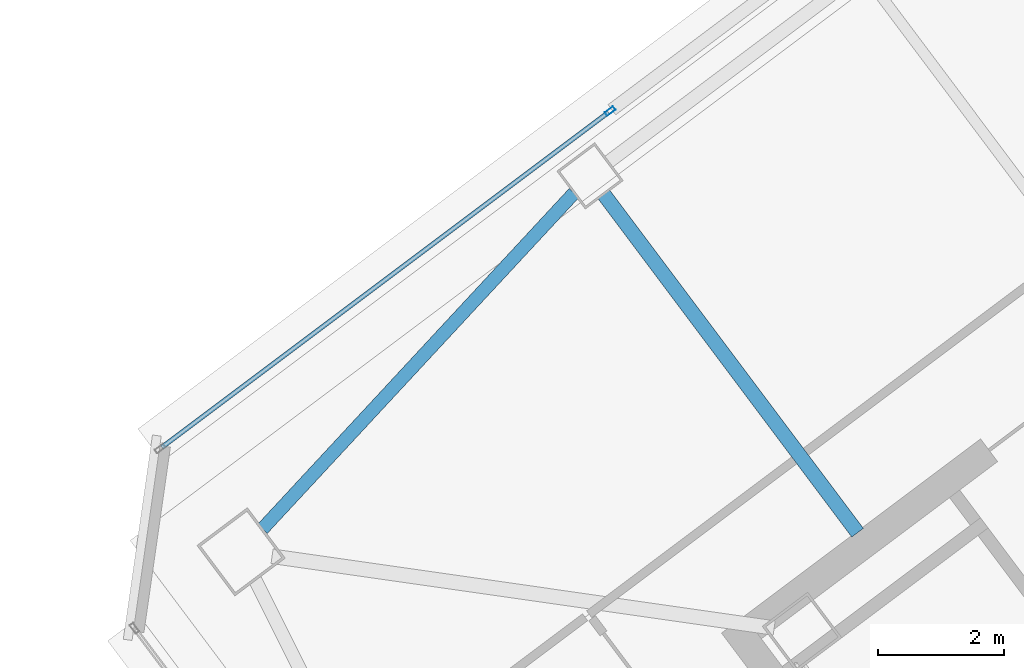
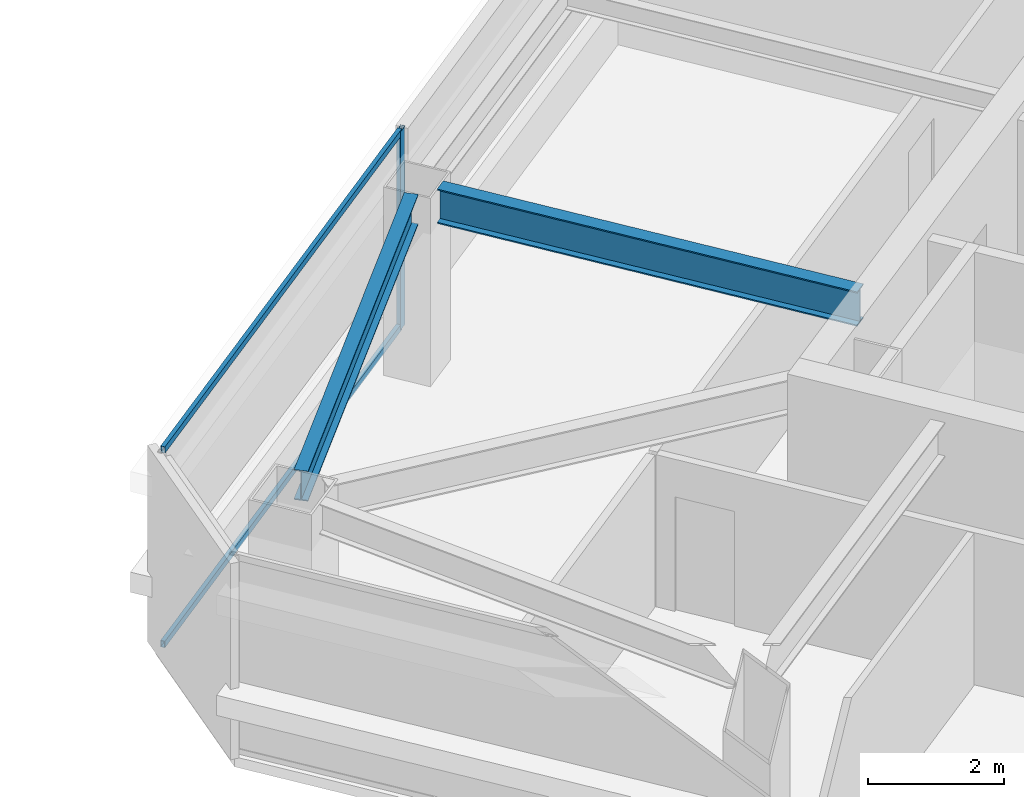
# One storey, part 21 of 39: 3 members, 2 beams, 1 element without a shape of its own.
"""IFC4 building model written with IfcOpenShell, lengths in metres."""

from ifc_helpers import new_model, si_unit, direction, frame, origin, origin_2d, place, context, subcontext, project, spatial, hollow_rectangle, i_section, extrude, material, material_profile, profile_set, type_object, element, aggregate, save


model = new_model("IFC4")

# Units and contexts
model_context = context("Model", 3, precision=1e-05, world=origin(), true_north=direction((0.0, 1.0)))
body_context = subcontext(model_context, "Body", "Model", "MODEL_VIEW")
ifc_project = project(units=[si_unit("LENGTHUNIT", "METRE"), si_unit("AREAUNIT", "SQUARE_METRE"), si_unit("VOLUMEUNIT", "CUBIC_METRE"), si_unit("PLANEANGLEUNIT", "RADIAN"), si_unit("MASSUNIT", "GRAM", prefix="KILO")], contexts=[model_context])

# Site, building, storey
site_placement = place(None, origin())
site = spatial("IfcSite", under=ifc_project, at=site_placement, CompositionType="ELEMENT")
building_placement = place(site_placement, origin())
building = spatial("IfcBuilding", under=site, at=building_placement, Name="Tashvorn Skyway Center", CompositionType="ELEMENT")
storey_placement = place(building_placement, frame((0.0, 0.0, 207.75)))
storey = spatial("IfcBuildingStorey", under=building, at=storey_placement, Name="L56", CompositionType="ELEMENT", Elevation=207.75)

# Beams
ifc_material_1 = material(Name="Steel ASTM A992 Grade 50", Category="steel")
ifc_material_profile_1 = material_profile(ifc_material_1, i_section(OverallWidth=0.22998046875, OverallDepth=0.616943359375, WebThickness=0.01318359375, FlangeThickness=0.022216796875, at=origin_2d()), Name="W24X94")
ifc_profile_set_1 = profile_set([ifc_material_profile_1], Name="Steel ASTM A992 Grade 50")
beam_type_1 = type_object("IfcBeamType", Name="BM-BEAM-W24X94", PredefinedType="BEAM", material=ifc_profile_set_1)
beam_1_placement = place(storey_placement, frame((100.991943359375, 40.343994140625, 3.0615234375), z_axis=(0.599994169845, -0.800004372583, 0.0), x_axis=(0.800004372583, 0.599994169845, 0.0)))
element("IfcBeam", 1, at=beam_1_placement, inside=storey, type_object=beam_type_1, Name="Tower 2 L56 Primary Floor Girder FC-N2", PredefinedType="BEAM", context=body_context, shape_type="SweptSolid", body=[
    extrude(i_section(OverallWidth=0.22998046875, OverallDepth=0.616943359375, WebThickness=0.01318359375, FlangeThickness=0.022216796875, at=origin_2d()), origin(), (0.0, 0.0, 1.0), 6.7001953125),
])
ifc_material_profile_2 = material_profile(ifc_material_1, i_section(OverallWidth=0.2109375, OverallDepth=0.5390625, WebThickness=0.01171875, FlangeThickness=0.018798828125, at=origin_2d()), Name="W21X73")
ifc_profile_set_2 = profile_set([ifc_material_profile_2], Name="Steel ASTM A992 Grade 50")
beam_type_2 = type_object("IfcBeamType", Name="BM-SPANDREL-W21X73", PredefinedType="SPANDREL", material=ifc_profile_set_2)
beam_2_placement = place(storey_placement, frame((100.518310546875, 40.36865234375, 3.1005859375), z_axis=(-0.680182956622, -0.733042389989, 0.0), x_axis=(0.733042389989, -0.680182956622, 0.0)))
element("IfcBeam", 2, at=beam_2_placement, inside=storey, type_object=beam_type_2, Name="Tower 2 L56 Spandrel Beam 09", PredefinedType="SPANDREL", context=body_context, shape_type="SweptSolid", body=[
    extrude(i_section(OverallWidth=0.2109375, OverallDepth=0.5390625, WebThickness=0.01171875, FlangeThickness=0.018798828125, at=origin_2d()), origin(), (0.0, 0.0, 1.0), 7.26513671875),
])

# Curtain wall, members
ifc_material_2 = material(Name="Thermally broken bronze-anodized aluminium 6063-T6", Category="aluminium")
curtain_wall_type = type_object("IfcCurtainWallType", Name="CW-CW-Z5", PredefinedType="NOTDEFINED", material=ifc_material_2)
curtain_wall_placement = place(storey_placement, origin())
curtain_wall = element("IfcCurtainWall", 3, at=curtain_wall_placement, inside=storey, type_object=curtain_wall_type, Name="Tower 2 L56 North Unitised Curtain Wall Glazing Group 1", PredefinedType="NOTDEFINED")
ifc_material_profile_3 = material_profile(ifc_material_2, hollow_rectangle(XDim=0.070068359375, YDim=0.1650390625, WallThickness=0.00390625, at=origin_2d()), Name="ALU-MULL-70x165")
ifc_profile_set_3 = profile_set([ifc_material_profile_3], Name="Thermally broken bronze-anodized aluminium 6063-T6")
member_type_1 = type_object("IfcMemberType", Name="CWM-CW-Z5", PredefinedType="MULLION", material=ifc_profile_set_3)
member_1_placement = place(storey_placement, frame((101.08935546875, 41.6669921875, 0.0), z_axis=(0.0, 0.0, 1.0), x_axis=(-0.600001780418, 0.799998664683, 0.0)))
member_1 = element("IfcMember", 4, at=member_1_placement, type_object=member_type_1, Name="CW-Z5 mullion 2", PredefinedType="MULLION", context=body_context, shape_type="SweptSolid", body=[
    extrude(hollow_rectangle(XDim=0.070068359375, YDim=0.1650390625, WallThickness=0.00390625, at=origin_2d()), origin(), (0.0, 0.0, 1.0), 3.550048828125),
])
ifc_material_profile_4 = material_profile(ifc_material_2, hollow_rectangle(XDim=0.070068359375, YDim=0.114990234375, WallThickness=0.00390625, at=origin_2d()), Name="ALU-TRAN-70x115")
ifc_profile_set_4 = profile_set([ifc_material_profile_4], Name="Thermally broken bronze-anodized aluminium 6063-T6")
member_type_2 = type_object("IfcMemberType", Name="CWT-CW-Z5", PredefinedType="USERDEFINED", material=ifc_profile_set_4)
member_2_placement = place(storey_placement, frame((93.98388671875, 36.337890625, 0.034912109375), z_axis=(0.799996688401, 0.600004415441, 0.0), x_axis=(-0.600004415441, 0.799996688401, 0.0)))
member_2 = element("IfcMember", 5, at=member_2_placement, type_object=member_type_2, Name="CW-Z5 transom 1.1", ObjectType="TRANSOM", PredefinedType="USERDEFINED", context=body_context, shape_type="SweptSolid", body=[
    extrude(hollow_rectangle(XDim=0.070068359375, YDim=0.114990234375, WallThickness=0.00390625, at=origin_2d()), origin(), (0.0, 0.0, 1.0), 8.8466796875),
])
member_3_placement = place(storey_placement, frame((93.98388671875, 36.337890625, 3.514892578125), z_axis=(0.799996688401, 0.600004415441, 0.0), x_axis=(-0.600004415441, 0.799996688401, 0.0)))
member_3 = element("IfcMember", 6, at=member_3_placement, type_object=member_type_2, Name="CW-Z5 transom 1.2", ObjectType="TRANSOM", PredefinedType="USERDEFINED", context=body_context, shape_type="SweptSolid", body=[
    extrude(hollow_rectangle(XDim=0.070068359375, YDim=0.114990234375, WallThickness=0.00390625, at=origin_2d()), origin(), (0.0, 0.0, 1.0), 8.8466796875),
])
aggregate(curtain_wall, [member_1, member_2, member_3])

save(model, "model.ifc")
